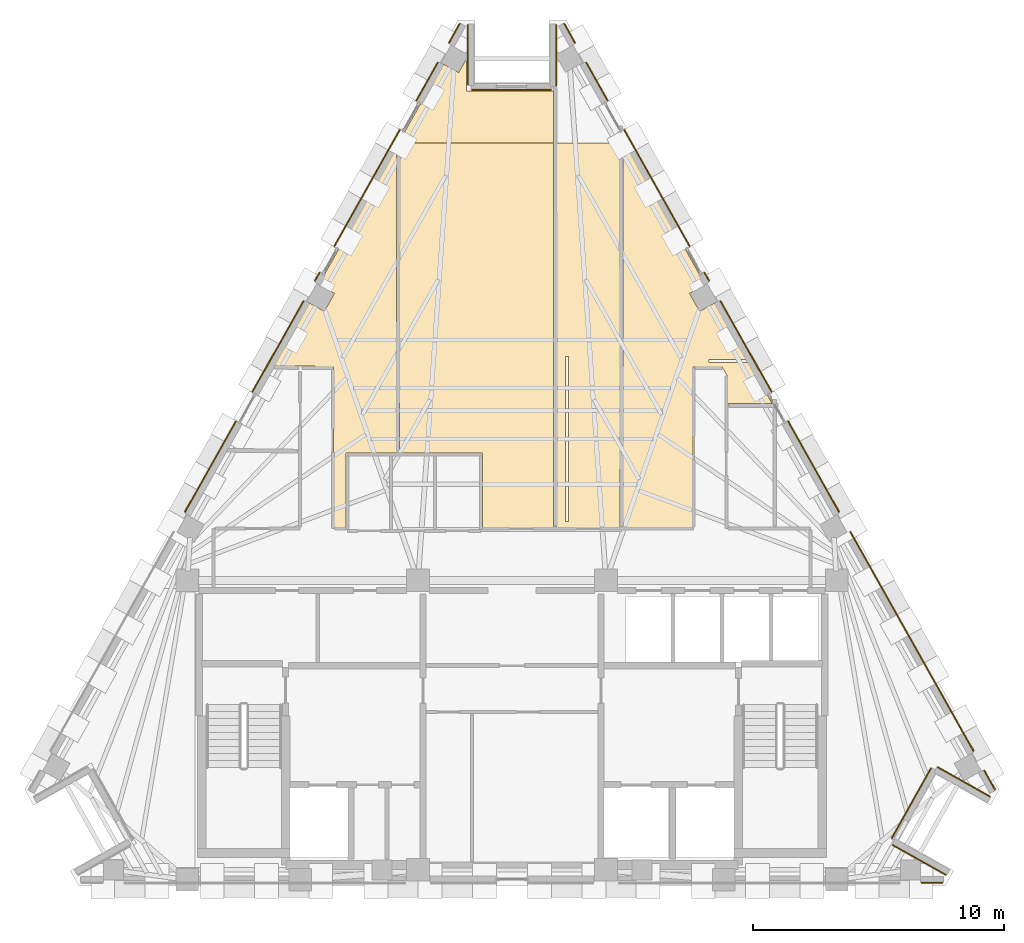
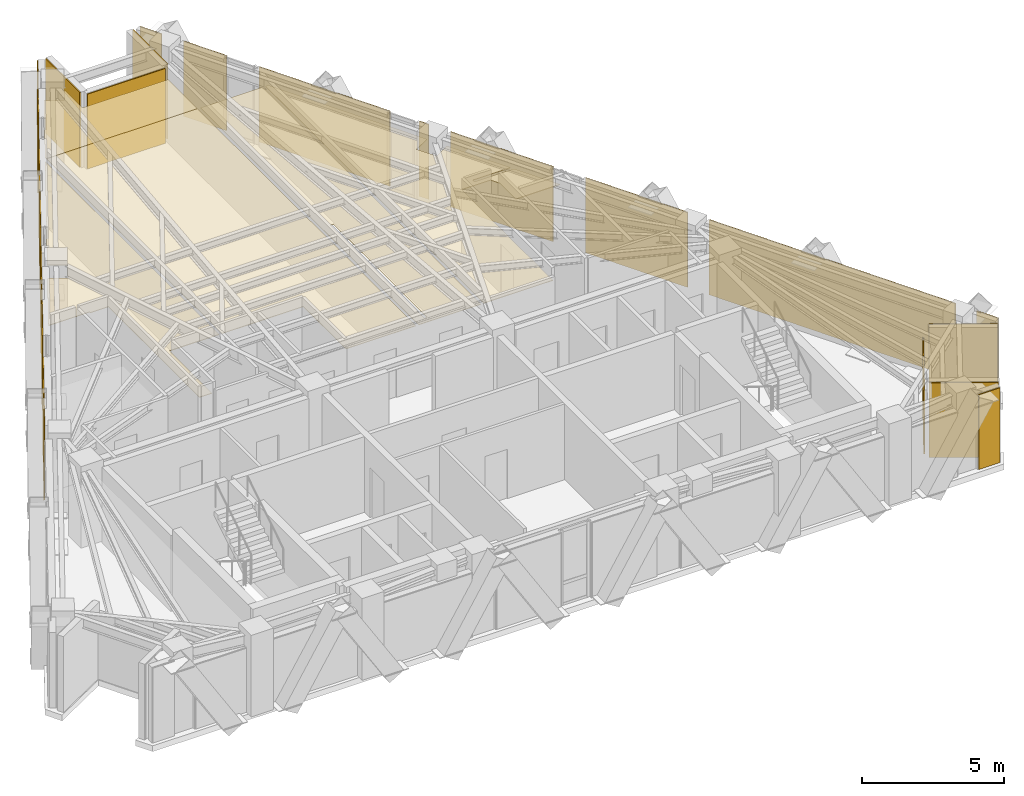
# One storey, part 9 of 9: 26 coverings.
"""IFC4 building model written with IfcOpenShell, lengths in metres."""

from ifc_helpers import new_model, si_unit, direction, frame, origin, place, context, subcontext, project, spatial, polyline, outline, extrude, material, layer, layer_set, type_object, element, save


model = new_model("IFC4")

# Units and contexts
model_context = context("Model", 3, precision=1e-05, world=origin(), true_north=direction((0.0, 1.0)))
body_context = subcontext(model_context, "Body", "Model", "MODEL_VIEW")
ifc_project = project(units=[si_unit("LENGTHUNIT", "METRE"), si_unit("AREAUNIT", "SQUARE_METRE"), si_unit("VOLUMEUNIT", "CUBIC_METRE"), si_unit("PLANEANGLEUNIT", "RADIAN"), si_unit("MASSUNIT", "GRAM", prefix="KILO")], contexts=[model_context])

# Site, building, storey
site_placement = place(None, origin())
site = spatial("IfcSite", under=ifc_project, at=site_placement, CompositionType="ELEMENT")
building_placement = place(site_placement, origin())
building = spatial("IfcBuilding", under=site, at=building_placement, Name="Quenlor Broadcast Tower", CompositionType="ELEMENT")
storey_placement = place(building_placement, frame((0.0, 0.0, 235.89990234375)))
storey = spatial("IfcBuildingStorey", under=building, at=storey_placement, Name="L65", CompositionType="ELEMENT", Elevation=235.89990234375)

# Coverings
ifc_material_1 = material(Name="Acoustic Mineral Fibre Board", Category="other")
ifc_layer_1 = layer(ifc_material_1, 0.02490234375)
ifc_layer_set_1 = layer_set([ifc_layer_1], Name="Acoustic Perforated Mineral Tile Ceiling 25")
covering_type_1 = type_object("IfcCoveringType", Name="Acoustic Perforated Mineral Tile Ceiling 25", PredefinedType="CEILING", material=ifc_layer_set_1)
covering_1_placement = place(storey_placement, frame((0.0, 0.0, 2.714599609375)))
element("IfcCovering", 1, at=covering_1_placement, inside=storey, type_object=covering_type_1, Name="L65 Acoustic Ceiling L65-24", PredefinedType="CEILING", context=body_context, shape_type="SweptSolid", body=[
    extrude(outline(polyline([(1.65478515625, -2.699951171875), (-1.179931640625, -2.699951171875), (-1.179931640625, 0.2900390625), (-4.47998046875, 0.2900390625), (-4.47998046875, 12.64990234375), (1.65478515625, 12.64990234375), (1.65478515625, -2.699951171875)])), origin(), (0.0, 0.0, 1.0), 0.025146484375),
])
covering_2_placement = place(storey_placement, frame((0.0, 0.0, 2.714599609375)))
element("IfcCovering", 2, at=covering_2_placement, inside=storey, type_object=covering_type_1, Name="L65 Acoustic Ceiling L65-24-2", PredefinedType="CEILING", context=body_context, shape_type="SweptSolid", body=[
    extrude(outline(polyline([(1.65478515625, 12.64990234375), (-4.47998046875, 12.64990234375), (-4.47998046875, 12.741943359375), (-2.7548828125, 15.808837890625), (-2.129150390625, 15.456787109375), (-1.808837890625, 16.0263671875), (-1.808837890625, 14.719970703125), (1.65478515625, 14.719970703125), (1.65478515625, 12.64990234375)])), origin(), (0.0, 0.0, 1.0), 0.025146484375),
])
covering_3_placement = place(storey_placement, frame((0.0, 0.0, 2.714599609375)))
element("IfcCovering", 3, at=covering_3_placement, inside=storey, type_object=covering_type_1, Name="L65 Acoustic Ceiling L65-25", PredefinedType="CEILING", context=body_context, shape_type="SweptSolid", body=[
    extrude(outline(polyline([(4.300048828125, -2.699951171875), (1.774658203125, -2.699951171875), (1.774658203125, 12.64990234375), (4.300048828125, 12.64990234375), (4.300048828125, -2.699951171875)]), holes=[polyline([(2.260009765625, -2.449951171875), (2.260009765625, 4.1298828125), (2.139892578125, 4.1298828125), (2.139892578125, -2.449951171875), (2.260009765625, -2.449951171875)])]), origin(), (0.0, 0.0, 1.0), 0.025146484375),
])
covering_4_placement = place(storey_placement, frame((0.0, 0.0, 2.714599609375)))
element("IfcCovering", 4, at=covering_4_placement, inside=storey, type_object=covering_type_1, Name="L65 Acoustic Ceiling L65-26", PredefinedType="CEILING", context=body_context, shape_type="SweptSolid", body=[
    extrude(outline(polyline([(-6.6201171875, -2.699951171875), (-7.1201171875, -2.699951171875), (-7.1201171875, 3.7099609375), (-7.85009765625, 3.7099609375), (-7.85009765625, 3.760009765625), (-9.532470703125, 3.760009765625), (-8.11181640625, 6.28564453125), (-7.48583984375, 5.93359375), (-7.0859375, 6.64501953125), (-7.711669921875, 6.996826171875), (-4.60009765625, 12.52880859375), (-4.60009765625, 0.2900390625), (-6.6201171875, 0.2900390625), (-6.6201171875, -2.699951171875)])), origin(), (0.0, 0.0, 1.0), 0.025146484375),
])
covering_5_placement = place(storey_placement, frame((0.0, 0.0, 2.714599609375)))
element("IfcCovering", 5, at=covering_5_placement, inside=storey, type_object=covering_type_1, Name="L65 Acoustic Ceiling L65-27", PredefinedType="CEILING", context=body_context, shape_type="SweptSolid", body=[
    extrude(outline(polyline([(9.45361328125, 3.89990234375), (10.376220703125, 2.260009765625), (8.580078125, 2.260009765625), (8.580078125, 3.37255859375), (8.39013671875, 3.7099609375), (7.219970703125, 3.7099609375), (7.219970703125, -2.699951171875), (4.419921875, -2.699951171875), (4.419921875, 12.64990234375), (4.53173828125, 12.64990234375), (7.711669921875, 6.996826171875), (7.0859375, 6.64501953125), (7.48583984375, 5.93359375), (8.11181640625, 6.28564453125), (9.38623046875, 4.02001953125), (7.85009765625, 4.02001953125), (7.85009765625, 3.89990234375), (9.45361328125, 3.89990234375)])), origin(), (0.0, 0.0, 1.0), 0.025146484375),
])
ifc_material_2 = material(Name="Architectural Terracotta Ceramic", Category="masonry")
ifc_layer_2 = layer(ifc_material_2, 0.044921875)
ifc_layer_set_2 = layer_set([ifc_layer_2], Name="Fluted Terracotta Rainscreen Cladding Panel")
covering_type_2 = type_object("IfcCoveringType", Name="Fluted Terracotta Rainscreen Cladding Panel", PredefinedType="CLADDING", material=ifc_layer_set_2)
covering_6_placement = place(storey_placement, frame((0.0, 0.0, 0.02001953125)))
element("IfcCovering", 6, at=covering_6_placement, inside=storey, type_object=covering_type_2, Name="L65 Terracotta Rainscreen Cladding L65-SHD-SS0", PredefinedType="CLADDING", context=body_context, shape_type="SweptSolid", body=[
    extrude(outline(polyline([(17.18994140625, -16.8369140625), (16.33251953125, -16.8369140625), (16.33251953125, -16.882080078125), (17.18994140625, -16.882080078125), (17.18994140625, -16.8369140625)])), origin(), (0.0, 0.0, 1.0), 3.2099609375),
])
covering_7_placement = place(storey_placement, frame((0.0, 0.0, 0.02001953125)))
element("IfcCovering", 7, at=covering_7_placement, inside=storey, type_object=covering_type_2, Name="L65 Terracotta Rainscreen Cladding L65-SHD-NES0", PredefinedType="CLADDING", context=body_context, shape_type="SweptSolid", body=[
    extrude(outline(polyline([(2.06201171875, 17.401611328125), (2.495849609375, 16.630615234375), (2.534912109375, 16.652587890625), (2.101318359375, 17.423583984375), (2.06201171875, 17.401611328125)])), origin(), (0.0, 0.0, 1.0), 3.2099609375),
])
covering_8_placement = place(storey_placement, frame((0.0, 0.0, 0.02001953125)))
element("IfcCovering", 8, at=covering_8_placement, inside=storey, type_object=covering_type_2, Name="L65 Terracotta Rainscreen Cladding L65-SHD-NES1", PredefinedType="CLADDING", context=body_context, shape_type="SweptSolid", body=[
    extrude(outline(polyline([(18.820068359375, -12.39013671875), (19.25390625, -13.161376953125), (19.29296875, -13.139404296875), (18.859130859375, -12.3681640625), (18.820068359375, -12.39013671875)])), origin(), (0.0, 0.0, 1.0), 3.2099609375),
])
covering_9_placement = place(storey_placement, frame((0.0, 0.0, 0.02001953125)))
element("IfcCovering", 9, at=covering_9_placement, inside=storey, type_object=covering_type_2, Name="L65 Terracotta Rainscreen Cladding L65-NEA-SP1", PredefinedType="CLADDING", context=body_context, shape_type="SweptSolid", body=[
    extrude(outline(polyline([(2.94091796875, 15.859619140625), (3.8037109375, 14.325927734375), (3.8427734375, 14.347900390625), (2.980224609375, 15.881591796875), (2.94091796875, 15.859619140625)])), origin(), (0.0, 0.0, 1.0), 3.2099609375),
])
covering_10_placement = place(storey_placement, frame((0.0, 0.0, 0.02001953125)))
element("IfcCovering", 10, at=covering_10_placement, inside=storey, type_object=covering_type_2, Name="L65 Terracotta Rainscreen Cladding L65-NEA-SP2", PredefinedType="CLADDING", context=body_context, shape_type="SweptSolid", body=[
    extrude(outline(polyline([(4.450927734375, 13.17529296875), (7.0732421875, 8.51318359375), (7.1123046875, 8.53515625), (4.490234375, 13.197265625), (4.450927734375, 13.17529296875)])), origin(), (0.0, 0.0, 1.0), 3.2099609375),
])
covering_11_placement = place(storey_placement, frame((0.0, 0.0, 0.02001953125)))
element("IfcCovering", 11, at=covering_11_placement, inside=storey, type_object=covering_type_2, Name="L65 Terracotta Rainscreen Cladding L65-NEA-SP3", PredefinedType="CLADDING", context=body_context, shape_type="SweptSolid", body=[
    extrude(outline(polyline([(7.655517578125, 7.478271484375), (7.8515625, 7.129638671875), (7.890625, 7.151611328125), (7.694580078125, 7.500244140625), (7.655517578125, 7.478271484375)])), origin(), (0.0, 0.0, 1.0), 3.2099609375),
])
covering_12_placement = place(storey_placement, frame((0.0, 0.0, 0.02001953125)))
element("IfcCovering", 12, at=covering_12_placement, inside=storey, type_object=covering_type_2, Name="L65 Terracotta Rainscreen Cladding L65-EW-NEC", PredefinedType="CLADDING", context=body_context, shape_type="SweptSolid", body=[
    extrude(outline(polyline([(13.471923828125, -2.862060546875), (18.402099609375, -11.626953125), (18.44140625, -11.60498046875), (13.51123046875, -2.840087890625), (13.471923828125, -2.862060546875)])), origin(), (0.0, 0.0, 1.0), 3.2099609375),
])
covering_13_placement = place(storey_placement, frame((0.0, 0.0, 0.02001953125)))
element("IfcCovering", 13, at=covering_13_placement, inside=storey, type_object=covering_type_2, Name="L65 Terracotta Rainscreen Cladding L65-NE-SP1", PredefinedType="CLADDING", context=body_context, shape_type="SweptSolid", body=[
    extrude(outline(polyline([(8.295166015625, 6.3408203125), (10.343017578125, 2.700439453125), (10.382080078125, 2.722412109375), (8.33447265625, 6.36279296875), (8.295166015625, 6.3408203125)])), origin(), (0.0, 0.0, 1.0), 3.2099609375),
])
covering_14_placement = place(storey_placement, frame((0.0, 0.0, 0.02001953125)))
element("IfcCovering", 14, at=covering_14_placement, inside=storey, type_object=covering_type_2, Name="L65 Terracotta Rainscreen Cladding L65-NE-SP2", PredefinedType="CLADDING", context=body_context, shape_type="SweptSolid", body=[
    extrude(outline(polyline([(10.990234375, 1.5498046875), (13.0380859375, -2.0908203125), (13.0771484375, -2.068603515625), (11.029541015625, 1.57177734375), (10.990234375, 1.5498046875)])), origin(), (0.0, 0.0, 1.0), 3.2099609375),
])
covering_15_placement = place(storey_placement, frame((0.0, 0.0, 0.02001953125)))
element("IfcCovering", 15, at=covering_15_placement, inside=storey, type_object=covering_type_2, Name="L65 Terracotta Rainscreen Cladding L65-SHD-NWS1", PredefinedType="CLADDING", context=body_context, shape_type="SweptSolid", body=[
    extrude(outline(polyline([(-2.495849609375, 16.630615234375), (-2.06201171875, 17.401611328125), (-2.101318359375, 17.423583984375), (-2.534912109375, 16.652587890625), (-2.495849609375, 16.630615234375)])), origin(), (0.0, 0.0, 1.0), 3.2099609375),
])
covering_16_placement = place(storey_placement, frame((0.0, 0.0, 0.02001953125)))
element("IfcCovering", 16, at=covering_16_placement, inside=storey, type_object=covering_type_2, Name="L65 Terracotta Rainscreen Cladding L65-NWC-SP1", PredefinedType="CLADDING", context=body_context, shape_type="SweptSolid", body=[
    extrude(outline(polyline([(-7.8515625, 7.129638671875), (-7.655517578125, 7.478271484375), (-7.694580078125, 7.500244140625), (-7.890625, 7.151611328125), (-7.8515625, 7.129638671875)])), origin(), (0.0, 0.0, 1.0), 3.2099609375),
])
covering_17_placement = place(storey_placement, frame((0.0, 0.0, 0.02001953125)))
element("IfcCovering", 17, at=covering_17_placement, inside=storey, type_object=covering_type_2, Name="L65 Terracotta Rainscreen Cladding L65-NWC-SP2", PredefinedType="CLADDING", context=body_context, shape_type="SweptSolid", body=[
    extrude(outline(polyline([(-7.0732421875, 8.51318359375), (-4.450927734375, 13.17529296875), (-4.490234375, 13.197265625), (-7.1123046875, 8.53515625), (-7.0732421875, 8.51318359375)])), origin(), (0.0, 0.0, 1.0), 3.2099609375),
])
covering_18_placement = place(storey_placement, frame((0.0, 0.0, 0.02001953125)))
element("IfcCovering", 18, at=covering_18_placement, inside=storey, type_object=covering_type_2, Name="L65 Terracotta Rainscreen Cladding L65-NWC-SP3", PredefinedType="CLADDING", context=body_context, shape_type="SweptSolid", body=[
    extrude(outline(polyline([(-3.8037109375, 14.325927734375), (-2.94091796875, 15.859619140625), (-2.980224609375, 15.881591796875), (-3.8427734375, 14.347900390625), (-3.8037109375, 14.325927734375)])), origin(), (0.0, 0.0, 1.0), 3.2099609375),
])
covering_19_placement = place(storey_placement, frame((0.0, 0.0, 0.02001953125)))
element("IfcCovering", 19, at=covering_19_placement, inside=storey, type_object=covering_type_2, Name="L65 Terracotta Rainscreen Cladding L65-NW-SP1", PredefinedType="CLADDING", context=body_context, shape_type="SweptSolid", body=[
    extrude(outline(polyline([(-13.0380859375, -2.0908203125), (-10.990234375, 1.5498046875), (-11.029541015625, 1.57177734375), (-13.0771484375, -2.068603515625), (-13.0380859375, -2.0908203125)])), origin(), (0.0, 0.0, 1.0), 3.2099609375),
])
covering_20_placement = place(storey_placement, frame((0.0, 0.0, 0.02001953125)))
element("IfcCovering", 20, at=covering_20_placement, inside=storey, type_object=covering_type_2, Name="L65 Terracotta Rainscreen Cladding L65-NW-SP2", PredefinedType="CLADDING", context=body_context, shape_type="SweptSolid", body=[
    extrude(outline(polyline([(-10.343017578125, 2.700439453125), (-8.295166015625, 6.3408203125), (-8.33447265625, 6.36279296875), (-10.382080078125, 2.722412109375), (-10.343017578125, 2.700439453125)])), origin(), (0.0, 0.0, 1.0), 3.2099609375),
])
covering_21_placement = place(storey_placement, frame((0.0, 0.0, 0.02001953125)))
element("IfcCovering", 21, at=covering_21_placement, inside=storey, type_object=covering_type_2, Name="L65 Terracotta Rainscreen Cladding L65-CNR-01", PredefinedType="CLADDING", context=body_context, shape_type="SweptSolid", body=[
    extrude(outline(polyline([(17.32666015625, -16.529541015625), (15.199951171875, -15.333251953125), (15.177978515625, -15.372314453125), (17.3046875, -16.568603515625), (17.32666015625, -16.529541015625)])), origin(), (0.0, 0.0, 1.0), 3.2099609375),
])
covering_22_placement = place(storey_placement, frame((0.0, 0.0, 0.02001953125)))
element("IfcCovering", 22, at=covering_22_placement, inside=storey, type_object=covering_type_2, Name="L65 Terracotta Rainscreen Cladding L65-CNR-02", PredefinedType="CLADDING", context=body_context, shape_type="SweptSolid", body=[
    extrude(outline(polyline([(15.16552734375, -15.10498046875), (16.7421875, -12.302001953125), (16.702880859375, -12.280029296875), (15.126220703125, -15.0830078125), (15.16552734375, -15.10498046875)])), origin(), (0.0, 0.0, 1.0), 2.749755859375),
])
covering_23_placement = place(storey_placement, frame((0.0, 0.0, 0.02001953125)))
element("IfcCovering", 23, at=covering_23_placement, inside=storey, type_object=covering_type_2, Name="L65 Terracotta Rainscreen Cladding L65-CNR-03", PredefinedType="CLADDING", context=body_context, shape_type="SweptSolid", body=[
    extrude(outline(polyline([(16.970458984375, -12.267578125), (19.062255859375, -13.444091796875), (19.084228515625, -13.405029296875), (16.992431640625, -12.228271484375), (16.970458984375, -12.267578125)])), origin(), (0.0, 0.0, 1.0), 3.2099609375),
])
covering_24_placement = place(storey_placement, frame((0.0, 0.0, 0.02001953125)))
element("IfcCovering", 24, at=covering_24_placement, inside=storey, type_object=covering_type_2, Name="L65 Terracotta Rainscreen Cladding L65-CNR-07", PredefinedType="CLADDING", context=body_context, shape_type="SweptSolid", body=[
    extrude(outline(polyline([(1.74072265625, 17.3701171875), (1.74072265625, 14.929931640625), (1.785888671875, 14.929931640625), (1.785888671875, 17.3701171875), (1.74072265625, 17.3701171875)])), origin(), (0.0, 0.0, 1.0), 3.2099609375),
])
covering_25_placement = place(storey_placement, frame((0.0, 0.0, 0.02001953125)))
element("IfcCovering", 25, at=covering_25_placement, inside=storey, type_object=covering_type_2, Name="L65 Terracotta Rainscreen Cladding L65-CNR-08", PredefinedType="CLADDING", context=body_context, shape_type="SweptSolid", body=[
    extrude(outline(polyline([(1.558837890625, 14.7880859375), (-1.598876953125, 14.7880859375), (-1.598876953125, 14.742919921875), (1.558837890625, 14.742919921875), (1.558837890625, 14.7880859375)])), origin(), (0.0, 0.0, 1.0), 3.2099609375),
])
covering_26_placement = place(storey_placement, frame((0.0, 0.0, 0.02001953125)))
element("IfcCovering", 26, at=covering_26_placement, inside=storey, type_object=covering_type_2, Name="L65 Terracotta Rainscreen Cladding L65-CNR-09", PredefinedType="CLADDING", context=body_context, shape_type="SweptSolid", body=[
    extrude(outline(polyline([(-1.74072265625, 14.969970703125), (-1.74072265625, 17.3701171875), (-1.785888671875, 17.3701171875), (-1.785888671875, 14.969970703125), (-1.74072265625, 14.969970703125)])), origin(), (0.0, 0.0, 1.0), 3.2099609375),
])

save(model, "model.ifc")
